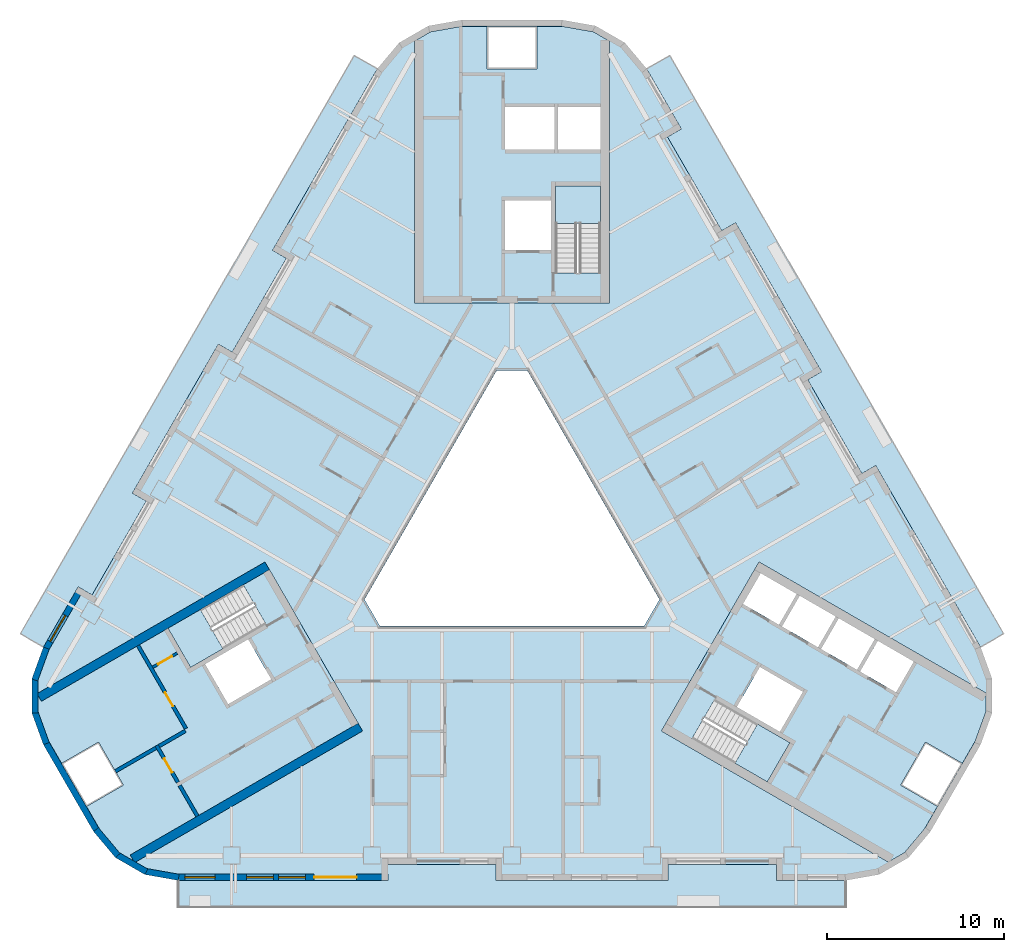
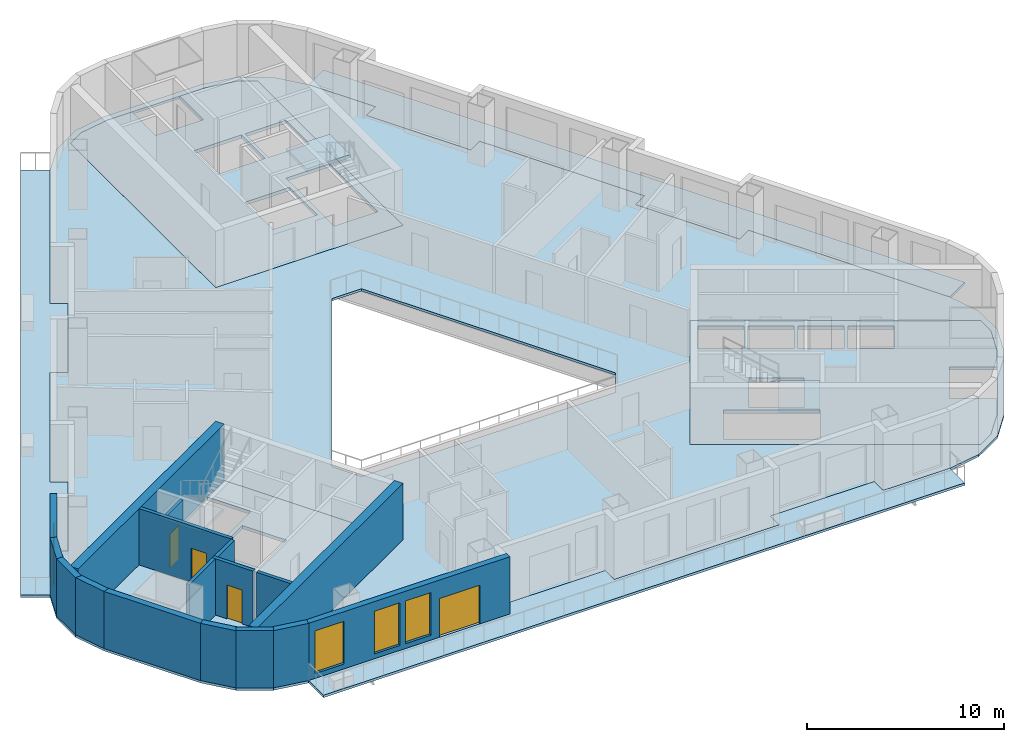
# One storey, part 2 of 13: 17 walls, 10 slabs, 4 doors, 4 windows, 8 openings, 3 elements without a shape of their own.
"""IFC4 building model written with IfcOpenShell, lengths in metres."""

import ifcopenshell
import ifcopenshell.guid

model = None  # the IFC model being written
_history = None  # IfcOwnerHistory: only IFC2X3 demands one
_inside = {}  # id of a spatial element -> (the spatial element, [elements in it])
_under = {}  # id of a project, library or spatial element -> (it, [spatial elements below it])
_declared = {}  # id of a project -> (the project, [libraries it declares])
_typed = {}  # id of a type object -> (the type object, [elements of that type])
_made_of = {}  # id of a material, layer set ... -> (it, [elements and type objects made of it])


def new_model(schema):
    """Start an empty IFC model of exactly this schema.

    Asked for "IFC4X3", IfcOpenShell would pick the latest addendum, in which some entities
    have other attributes; the version numbers below select the first issue.
    IFC2X3 requires an IfcOwnerHistory on every rooted entity: one is made here for all.
    """
    global model, _history
    if schema == "IFC4X3":
        model = ifcopenshell.file(schema_version=(4, 3, 0, 0))
    else:
        model = ifcopenshell.file(schema=schema)
    _inside.clear()
    _under.clear()
    _declared.clear()
    _typed.clear()
    _made_of.clear()
    _history = None
    if model.schema == "IFC2X3":
        org = make("IfcOrganization", Name="unknown")
        user = make(
            "IfcPersonAndOrganization",
            ThePerson=make("IfcPerson", FamilyName="unknown"),
            TheOrganization=org,
        )
        app = make(
            "IfcApplication",
            ApplicationDeveloper=org,
            Version="unknown",
            ApplicationFullName="unknown",
            ApplicationIdentifier="unknown",
        )
        _history = make(
            "IfcOwnerHistory",
            OwningUser=user,
            OwningApplication=app,
            ChangeAction="ADDED",
            CreationDate=0,
        )
    return model


def make(cls, **values):
    """One entity of the class cls with the attributes given. An attribute that is None is left unset."""
    return model.create_entity(
        cls, **{name: value for name, value in values.items() if value is not None}
    )


def rooted(cls, **values):
    """An entity with a GlobalId (a new one), such as an element, a storey or a relation."""
    return make(cls, GlobalId=ifcopenshell.guid.new(), OwnerHistory=_history, **values)


def si_unit(unit_type, name, prefix=None):
    """IfcSIUnit, for example si_unit("LENGTHUNIT", "METRE", prefix="MILLI")."""
    return make("IfcSIUnit", UnitType=unit_type, Prefix=prefix, Name=name)


def assignment(units):
    """IfcUnitAssignment: the units of a project."""
    return None if units is None else make("IfcUnitAssignment", Units=units)


def point(xyz):
    """IfcCartesianPoint."""
    return None if xyz is None else make("IfcCartesianPoint", Coordinates=xyz)


def direction(xyz):
    """IfcDirection."""
    return None if xyz is None else make("IfcDirection", DirectionRatios=xyz)


def frame(location, z_axis=None, x_axis=None):
    """IfcAxis2Placement3D, a coordinate frame: its origin and axes. An axis left out is left unset."""
    return make(
        "IfcAxis2Placement3D",
        Location=point(location),
        Axis=direction(z_axis),
        RefDirection=direction(x_axis),
    )


def frame_2d(location, x_axis=None):
    """IfcAxis2Placement2D, a coordinate frame in the plane: its origin and x axis."""
    return make(
        "IfcAxis2Placement2D", Location=point(location), RefDirection=direction(x_axis)
    )


def origin():
    """The frame at (0, 0, 0) with its axes left unset."""
    return frame((0.0, 0.0, 0.0))


def place(relative_to, where):
    """IfcLocalPlacement: puts the frame where relative to a parent placement (None: the world)."""
    return make(
        "IfcLocalPlacement", PlacementRelTo=relative_to, RelativePlacement=where
    )


def context(
    kind, dimensions, precision=None, world=None, true_north=None, identifier=None
):
    """IfcGeometricRepresentationContext, for example the 3D "Model" context."""
    return make(
        "IfcGeometricRepresentationContext",
        ContextIdentifier=identifier,
        ContextType=kind,
        CoordinateSpaceDimension=dimensions,
        Precision=precision,
        WorldCoordinateSystem=world,
        TrueNorth=true_north,
    )


def subcontext(parent, identifier, kind, view, scale=None):
    """IfcGeometricRepresentationSubContext, for example "Body" below "Model"."""
    return make(
        "IfcGeometricRepresentationSubContext",
        ContextIdentifier=identifier,
        ContextType=kind,
        ParentContext=parent,
        TargetScale=scale,
        TargetView=view,
    )


def project(units=None, contexts=None):
    """IfcProject with its units and contexts."""
    return rooted(
        "IfcProject",
        Name="project",
        RepresentationContexts=contexts,
        UnitsInContext=assignment(units),
    )


def spatial(cls, under=None, at=None, **own):
    """A site, building, storey or space (cls), placed at a placement, below another one or the project."""
    s = rooted(cls, ObjectPlacement=at, **own)
    if under is not None:
        _under.setdefault(under.id(), (under, []))[1].append(s)
    return s


def polyline(points):
    """IfcPolyline through the points."""
    return make("IfcPolyline", Points=[point(p) for p in points])


def profile(cls, at=None, kind="AREA", **sizes):
    """A parametric profile (cls). Its sizes go by their IFC names, for example OverallWidth=200.0."""
    return make(cls, ProfileType=kind, Position=at, **sizes)


def rectangle(**sizes):
    """IfcRectangleProfileDef."""
    return profile("IfcRectangleProfileDef", **sizes)


def outline(outer, holes=None, kind="AREA"):
    """IfcArbitraryClosedProfileDef: a profile drawn as a closed curve; with holes, ...WithVoids."""
    if holes is None:
        return make("IfcArbitraryClosedProfileDef", ProfileType=kind, OuterCurve=outer)
    return make(
        "IfcArbitraryProfileDefWithVoids",
        ProfileType=kind,
        OuterCurve=outer,
        InnerCurves=holes,
    )


def extrude(swept, where, along, depth):
    """IfcExtrudedAreaSolid: the profile swept, set in the frame where, extruded along a direction by depth."""
    return make(
        "IfcExtrudedAreaSolid",
        SweptArea=swept,
        Position=where,
        ExtrudedDirection=direction(along),
        Depth=depth,
    )


def shape(context_of_items, identifier, shape_type, items):
    """IfcShapeRepresentation: the items that make up one representation, for example the "Body"."""
    return make(
        "IfcShapeRepresentation",
        ContextOfItems=context_of_items,
        RepresentationIdentifier=identifier,
        RepresentationType=shape_type,
        Items=items,
    )


def material(Name=None, Category=None):
    """IfcMaterial."""
    return make("IfcMaterial", Name=Name, Category=Category)


def layer(
    of_material, thickness, ventilated=None, Name=None, Category=None, Priority=None
):
    """IfcMaterialLayer: one layer of a wall or slab, of a material (None: an air gap)."""
    return make(
        "IfcMaterialLayer",
        Material=of_material,
        LayerThickness=thickness,
        IsVentilated=ventilated,
        Name=Name,
        Category=Category,
        Priority=Priority,
    )


def layer_set(layers, Name=None):
    """IfcMaterialLayerSet."""
    return make("IfcMaterialLayerSet", MaterialLayers=layers, LayerSetName=Name)


def made_of(thing, what):
    """Note that an element or type object is made of a material, layer set ...; save() writes the relation."""
    if what is not None:
        _made_of.setdefault(what.id(), (what, []))[1].append(thing)
    return thing


def type_object(cls, material=None, **own):
    """A type object (cls), such as IfcWallType, which elements share."""
    return made_of(rooted(cls, **own), material)


def element(
    cls,
    number,
    at=None,
    inside=None,
    cuts=None,
    type_object=None,
    material=None,
    context=None,
    identifier="Body",
    shape_type=None,
    held_by="IfcProductDefinitionShape",
    body=None,
    shapes=None,
    **own,
):
    """One element of the class cls, such as IfcWall. Its Tag is "e" and its number.

    at: its placement. inside: the storey or other place that contains it. cuts: it is an
    opening in that element (IfcRelVoidsElement). A single representation is given by context,
    identifier, shape_type and body (its items); several are given by shapes. held_by: the class
    of the entity that holds the representations. save() writes the other relations.
    """
    e = rooted(cls, Tag="e%d" % number, ObjectPlacement=at, **own)
    if body is not None:
        shapes = [shape(context, identifier, shape_type, body)]
    if shapes is not None:
        e.Representation = make(held_by, Representations=shapes)
    if inside is not None:
        _inside.setdefault(inside.id(), (inside, []))[1].append(e)
    if cuts is not None:
        rooted(
            "IfcRelVoidsElement", RelatingBuildingElement=cuts, RelatedOpeningElement=e
        )
    if type_object is not None:
        _typed.setdefault(type_object.id(), (type_object, []))[1].append(e)
    return made_of(e, material)


def fill(opening, filler):
    """IfcRelFillsElement: the door or window that sits in an opening."""
    return rooted(
        "IfcRelFillsElement",
        RelatingOpeningElement=opening,
        RelatedBuildingElement=filler,
    )


def aggregate(whole, parts):
    """IfcRelAggregates: a whole, such as a stair, and the parts it consists of."""
    return rooted("IfcRelAggregates", RelatingObject=whole, RelatedObjects=parts)


def save(model, path):
    """Write the relations noted so far, then the file.

    IfcRelAggregates (storeys below a building ...), IfcRelContainedInSpatialStructure (elements
    in a storey), IfcRelDefinesByType, IfcRelAssociatesMaterial and IfcRelDeclares: one each for
    every whole, place, type object, material and project.
    """
    for whole, parts in _under.values():
        aggregate(whole, parts)
    for where, things in _inside.values():
        rooted(
            "IfcRelContainedInSpatialStructure",
            RelatedElements=things,
            RelatingStructure=where,
        )
    for kind, things in _typed.values():
        rooted("IfcRelDefinesByType", RelatedObjects=things, RelatingType=kind)
    for what, things in _made_of.values():
        rooted("IfcRelAssociatesMaterial", RelatedObjects=things, RelatingMaterial=what)
    for by, libraries in _declared.values():
        rooted("IfcRelDeclares", RelatingContext=by, RelatedDefinitions=libraries)
    model.write(path)


model = new_model("IFC4")

# Units and contexts
model_context = context("Model", 3, precision=1e-05, world=origin(), true_north=direction((0.0, 1.0)))
body_context = subcontext(model_context, "Body", "Model", "MODEL_VIEW")
ifc_project = project(units=[si_unit("LENGTHUNIT", "METRE"), si_unit("AREAUNIT", "SQUARE_METRE"), si_unit("VOLUMEUNIT", "CUBIC_METRE"), si_unit("PLANEANGLEUNIT", "RADIAN"), si_unit("MASSUNIT", "GRAM", prefix="KILO")], contexts=[model_context])

# Site, building, storey
site_placement = place(None, origin())
site = spatial("IfcSite", under=ifc_project, at=site_placement, CompositionType="ELEMENT")
building_placement = place(site_placement, origin())
building = spatial("IfcBuilding", under=site, at=building_placement, Name="Apuvela Tower Hotel", CompositionType="ELEMENT")
storey_placement = place(building_placement, frame((0.0, 0.0, 57.60009765625)))
storey = spatial("IfcBuildingStorey", under=building, at=storey_placement, Name="L11", CompositionType="ELEMENT", Elevation=57.60009765625)

# Slabs
ifc_material_1 = material(Name="Concrete C50/60", Category="concrete")
ifc_layer_1 = layer(ifc_material_1, 0.199951171875)
ifc_layer_set_1 = layer_set([ifc_layer_1], Name="COR-FLOOR-200")
slab_type_1 = type_object("IfcSlabType", Name="COR-FLOOR-200", PredefinedType="FLOOR", material=ifc_layer_set_1)
slab_1_placement = place(storey_placement, frame((0.0, 0.0, -0.2001953125)))
element("IfcSlab", 1, at=slab_1_placement, inside=storey, type_object=slab_type_1, Name="Core floor N", PredefinedType="FLOOR", context=body_context, shape_type="SweptSolid", body=[
    extrude(outline(polyline([(5.5, 27.668212890625), (4.588623046875, 28.1943359375), (2.85498046875, 28.5), (1.39990234375, 28.5), (1.39990234375, 26.10009765625), (-1.39990234375, 26.10009765625), (-1.39990234375, 28.5), (-2.85498046875, 28.5), (-4.588623046875, 28.1943359375), (-5.5, 27.668212890625), (-5.5, 12.89990234375), (5.5, 12.89990234375), (5.5, 27.668212890625)]), holes=[polyline([(5.0, 14.60595703125), (2.449951171875, 14.60595703125), (2.449951171875, 19.5), (5.0, 19.5), (5.0, 14.60595703125)]), polyline([(2.199951171875, 15.89990234375), (-0.39990234375, 15.89990234375), (-0.39990234375, 18.699951171875), (2.199951171875, 18.699951171875), (2.199951171875, 15.89990234375)]), polyline([(5.0, 21.550048828125), (2.60009765625, 21.550048828125), (2.60009765625, 23.949951171875), (5.0, 23.949951171875), (5.0, 21.550048828125)]), polyline([(2.39990234375, 21.550048828125), (-0.39990234375, 21.550048828125), (-0.39990234375, 23.949951171875), (2.39990234375, 23.949951171875), (2.39990234375, 21.550048828125)])]), origin(), (0.0, 0.0, 1.0), 0.2001953125),
])
slab_2_placement = place(storey_placement, frame((0.0, 0.0, -0.2001953125)))
element("IfcSlab", 2, at=slab_2_placement, inside=storey, type_object=slab_type_1, Name="Core floor SW", PredefinedType="FLOOR", context=body_context, shape_type="SweptSolid", body=[
    extrude(outline(polyline([(-26.711181640625, -9.07080078125), (-26.711181640625, -10.123291015625), (-26.109375, -11.77734375), (-25.381591796875, -13.03759765625), (-23.30322265625, -11.837646484375), (-21.9033203125, -14.262451171875), (-23.981689453125, -15.46240234375), (-23.254150390625, -16.72265625), (-22.122802734375, -18.071044921875), (-21.211181640625, -18.59716796875), (-8.421630859375, -11.213134765625), (-13.921630859375, -1.68701171875), (-26.711181640625, -9.07080078125)]), holes=[polyline([(-13.874267578125, -5.18115234375), (-18.112548828125, -7.628173828125), (-19.387451171875, -5.419921875), (-15.149169921875, -2.972900390625), (-13.874267578125, -5.18115234375)]), polyline([(-13.56982421875, -8.29638671875), (-15.99462890625, -9.6962890625), (-17.294677734375, -7.444580078125), (-14.869873046875, -6.044677734375), (-13.56982421875, -8.29638671875)])]), origin(), (0.0, 0.0, 1.0), 0.2001953125),
])
slab_3_placement = place(storey_placement, frame((0.0, 0.0, -0.2001953125)))
element("IfcSlab", 3, at=slab_3_placement, inside=storey, type_object=slab_type_1, Name="Core floor SE", PredefinedType="FLOOR", context=body_context, shape_type="SweptSolid", body=[
    extrude(outline(polyline([(21.211181640625, -18.59716796875), (22.122802734375, -18.071044921875), (23.254150390625, -16.72265625), (23.981689453125, -15.46240234375), (21.9033203125, -14.262451171875), (23.30322265625, -11.837646484375), (25.381591796875, -13.03759765625), (26.109375, -11.77734375), (26.711181640625, -10.123291015625), (26.711181640625, -9.07080078125), (13.921630859375, -1.68701171875), (8.421630859375, -11.213134765625), (21.211181640625, -18.59716796875)]), holes=[polyline([(13.01806640625, -4.052001953125), (14.01806640625, -2.31982421875), (16.044677734375, -3.489990234375), (15.044677734375, -5.221923828125), (13.01806640625, -4.052001953125)]), polyline([(17.244384765625, -6.491943359375), (15.2177734375, -5.322021484375), (16.2177734375, -3.58984375), (18.244384765625, -4.760009765625), (17.244384765625, -6.491943359375)]), polyline([(14.387451171875, -14.080078125), (10.149169921875, -11.633056640625), (11.42431640625, -9.4248046875), (15.66259765625, -11.871826171875), (14.387451171875, -14.080078125)]), polyline([(12.669921875, -9.855224609375), (13.9697265625, -7.603515625), (16.394775390625, -9.003662109375), (15.0947265625, -11.25537109375), (12.669921875, -9.855224609375)]), polyline([(19.444091796875, -7.761962890625), (17.41748046875, -6.591796875), (18.41748046875, -4.85986328125), (20.444091796875, -6.02978515625), (19.444091796875, -7.761962890625)]), polyline([(21.643798828125, -9.031982421875), (19.6171875, -7.86181640625), (20.6171875, -6.1298828125), (22.643798828125, -7.2998046875), (21.643798828125, -9.031982421875)])]), origin(), (0.0, 0.0, 1.0), 0.2001953125),
])

# Stair, slab
stair_type = type_object("IfcStairType", Name="COR-STAIR-22R", PredefinedType="HALF_TURN_STAIR", material=ifc_material_1)
stair_1_placement = place(storey_placement, origin())
stair_1 = element("IfcStair", 4, at=stair_1_placement, inside=storey, type_object=stair_type, Name="L11 Exit stair ST1", PredefinedType="HALF_TURN_STAIR")
ifc_layer_2 = layer(ifc_material_1, 0.199951171875)
ifc_layer_set_2 = layer_set([ifc_layer_2], Name="COR-LANDING-200")
slab_type_2 = type_object("IfcSlabType", Name="COR-LANDING-200", PredefinedType="LANDING", material=ifc_layer_set_2)
slab_4_placement = place(storey_placement, frame((0.0, 0.0, 1.64990234375)))
slab_4 = element("IfcSlab", 5, at=slab_4_placement, type_object=slab_type_2, Name="ST1 landing 1", PredefinedType="LANDING", context=body_context, shape_type="SweptSolid", body=[
    extrude(outline(polyline([(5.0, 17.39404296875), (5.0, 19.5), (2.449951171875, 19.5), (2.449951171875, 17.39404296875), (5.0, 17.39404296875)])), origin(), (0.0, 0.0, 1.0), 0.199951171875),
])
aggregate(stair_1, [slab_4])

stair_2_placement = place(storey_placement, origin())
stair_2 = element("IfcStair", 6, at=stair_2_placement, inside=storey, type_object=stair_type, Name="L11 Exit stair ST2", PredefinedType="HALF_TURN_STAIR")
slab_5_placement = place(storey_placement, frame((0.0, 0.0, 1.64990234375)))
slab_5 = element("IfcSlab", 7, at=slab_5_placement, type_object=slab_type_2, Name="ST2 landing 1", PredefinedType="LANDING", context=body_context, shape_type="SweptSolid", body=[
    extrude(outline(polyline([(-17.563720703125, -4.366943359375), (-19.387451171875, -5.419921875), (-18.112548828125, -7.628173828125), (-16.28857421875, -6.5751953125), (-17.563720703125, -4.366943359375)])), origin(), (0.0, 0.0, 1.0), 0.199951171875),
])
aggregate(stair_2, [slab_5])

stair_3_placement = place(storey_placement, origin())
stair_3 = element("IfcStair", 8, at=stair_3_placement, inside=storey, type_object=stair_type, Name="L11 Exit stair ST3", PredefinedType="HALF_TURN_STAIR")
slab_6_placement = place(storey_placement, frame((0.0, 0.0, 1.64990234375)))
slab_6 = element("IfcSlab", 9, at=slab_6_placement, type_object=slab_type_2, Name="ST3 landing 1", PredefinedType="LANDING", context=body_context, shape_type="SweptSolid", body=[
    extrude(outline(polyline([(12.563720703125, -13.027099609375), (14.387451171875, -14.080078125), (15.66259765625, -11.871826171875), (13.838623046875, -10.81884765625), (12.563720703125, -13.027099609375)])), origin(), (0.0, 0.0, 1.0), 0.199951171875),
])
aggregate(stair_3, [slab_6])

# Slabs
ifc_material_2 = material(Name="Concrete C40/50, fair-faced", Category="concrete")
ifc_layer_3 = layer(ifc_material_2, 0.14990234375)
ifc_layer_set_3 = layer_set([ifc_layer_3], Name="ENV-BALCONY-150")
slab_type_3 = type_object("IfcSlabType", Name="ENV-BALCONY-150", PredefinedType="FLOOR", material=ifc_layer_set_3)
slab_7_placement = place(storey_placement, frame((0.0, 0.0, -0.150146484375)))
element("IfcSlab", 10, at=slab_7_placement, inside=storey, type_object=slab_type_3, Name="Balcony slab S L11", PredefinedType="FLOOR", context=body_context, shape_type="SweptSolid", body=[
    extrude(outline(polyline([(18.82080078125, -21.135009765625), (-18.82080078125, -21.135009765625), (-18.82080078125, -19.625), (-7.0048828125, -19.625), (-7.0048828125, -18.72509765625), (-0.89501953125, -18.72509765625), (-0.89501953125, -19.625), (8.794921875, -19.625), (8.794921875, -18.72509765625), (14.905029296875, -18.72509765625), (14.905029296875, -19.625), (18.82080078125, -19.625), (18.82080078125, -21.135009765625)])), origin(), (0.0, 0.0, 1.0), 0.150146484375),
])
slab_8_placement = place(storey_placement, frame((0.0, 0.0, -0.150146484375)))
element("IfcSlab", 11, at=slab_8_placement, inside=storey, type_object=slab_type_3, Name="Balcony slab NE L11", PredefinedType="FLOOR", context=body_context, shape_type="SweptSolid", body=[
    extrude(outline(polyline([(17.443359375, 9.037353515625), (12.598388671875, 17.42919921875), (11.81884765625, 16.979248046875), (8.763916015625, 22.2705078125), (9.543212890625, 22.720703125), (7.585205078125, 26.11181640625), (8.89306640625, 26.86669921875), (27.7138671875, -5.731689453125), (26.40625, -6.48681640625), (20.498291015625, 3.74609375), (19.71875, 3.2958984375), (16.663818359375, 8.58740234375), (17.443359375, 9.037353515625)])), origin(), (0.0, 0.0, 1.0), 0.150146484375),
])
slab_9_placement = place(storey_placement, frame((0.0, 0.0, -0.150146484375)))
element("IfcSlab", 12, at=slab_9_placement, inside=storey, type_object=slab_type_3, Name="Balcony slab NW L11", PredefinedType="FLOOR", context=body_context, shape_type="SweptSolid", body=[
    extrude(outline(polyline([(-27.7138671875, -5.731689453125), (-8.89306640625, 26.86669921875), (-7.585205078125, 26.11181640625), (-13.4931640625, 15.87890625), (-12.7138671875, 15.428955078125), (-15.768798828125, 10.1376953125), (-16.548095703125, 10.587646484375), (-21.393310546875, 2.19580078125), (-20.61376953125, 1.745849609375), (-23.668701171875, -3.545654296875), (-24.4482421875, -3.095703125), (-26.40625, -6.48681640625), (-27.7138671875, -5.731689453125)])), origin(), (0.0, 0.0, 1.0), 0.150146484375),
])
ifc_material_3 = material(Name="Concrete C35/45", Category="concrete")
ifc_layer_4 = layer(ifc_material_3, 0.14990234375)
ifc_layer_set_4 = layer_set([ifc_layer_4], Name="STR-SLAB 150 floor Concrete C35/45")
slab_type_4 = type_object("IfcSlabType", Name="STR-SLAB 150 floor Concrete C35/45", PredefinedType="FLOOR", material=ifc_layer_set_4)
slab_10_placement = place(storey_placement, frame((0.0, 0.0, -0.150146484375)))
element("IfcSlab", 13, at=slab_10_placement, inside=storey, type_object=slab_type_4, Name="Floor slab S4 L11", PredefinedType="FLOOR", context=body_context, shape_type="SweptSolid", body=[
    extrude(outline(polyline([(-6.3642578125, 27.5732421875), (-4.710205078125, 28.5283203125), (-2.8291015625, 28.860107421875), (2.8291015625, 28.860107421875), (4.710205078125, 28.5283203125), (6.3642578125, 27.5732421875), (7.59228515625, 26.110107421875), (9.550048828125, 22.71875), (8.770751953125, 22.268798828125), (11.82080078125, 16.986083984375), (12.60009765625, 17.43603515625), (17.4501953125, 9.035400390625), (16.670654296875, 8.58544921875), (19.720703125, 3.302734375), (20.5, 3.752685546875), (26.407958984375, -6.47998046875), (27.061279296875, -8.27490234375), (27.061279296875, -10.18505859375), (26.407958984375, -11.97998046875), (23.5791015625, -16.8798828125), (22.351318359375, -18.34326171875), (20.697021484375, -19.29833984375), (18.81591796875, -19.6298828125), (14.89990234375, -19.6298828125), (14.89990234375, -18.72998046875), (8.800048828125, -18.72998046875), (8.800048828125, -19.6298828125), (-0.89990234375, -19.6298828125), (-0.89990234375, -18.72998046875), (-7.0, -18.72998046875), (-7.0, -19.6298828125), (-18.81591796875, -19.6298828125), (-20.697021484375, -19.29833984375), (-22.351318359375, -18.34326171875), (-23.5791015625, -16.8798828125), (-26.407958984375, -11.97998046875), (-27.061279296875, -10.18505859375), (-27.061279296875, -8.27490234375), (-26.407958984375, -6.47998046875), (-24.4501953125, -3.088623046875), (-23.670654296875, -3.538818359375), (-20.62060546875, 1.743896484375), (-21.400146484375, 2.194091796875), (-16.550048828125, 10.594482421875), (-15.7705078125, 10.14453125), (-12.720703125, 15.42724609375), (-13.5, 15.877197265625), (-7.59228515625, 26.110107421875), (-6.3642578125, 27.5732421875)]), holes=[polyline([(0.865966796875, 9.10009765625), (-0.865966796875, 9.10009765625), (-8.313720703125, -3.800048828125), (-7.44775390625, -5.300048828125), (7.44775390625, -5.300048828125), (8.313720703125, -3.800048828125), (0.865966796875, 9.10009765625)]), polyline([(-5.5, 12.89990234375), (-5.5, 27.668212890625), (-4.588623046875, 28.1943359375), (-2.85498046875, 28.5), (2.85498046875, 28.5), (4.588623046875, 28.1943359375), (5.5, 27.668212890625), (5.5, 12.89990234375), (-5.5, 12.89990234375)]), polyline([(-8.421630859375, -11.213134765625), (-21.211181640625, -18.59716796875), (-22.122802734375, -18.071044921875), (-23.254150390625, -16.72265625), (-26.109375, -11.77734375), (-26.711181640625, -10.123291015625), (-26.711181640625, -9.07080078125), (-13.921630859375, -1.68701171875), (-8.421630859375, -11.213134765625)]), polyline([(13.921630859375, -1.68701171875), (26.711181640625, -9.07080078125), (26.711181640625, -10.123291015625), (26.109375, -11.77734375), (23.254150390625, -16.72265625), (22.122802734375, -18.071044921875), (21.211181640625, -18.59716796875), (8.421630859375, -11.213134765625), (13.921630859375, -1.68701171875)])]), origin(), (0.0, 0.0, 1.0), 0.150146484375),
])

# Walls
ifc_layer_5 = layer(ifc_material_1, 0.5)
ifc_layer_set_5 = layer_set([ifc_layer_5], Name="COR-WALL-CORE-500")
wall_type_1 = type_object("IfcWallType", Name="COR-WALL-CORE-500", PredefinedType="SHEAR", material=ifc_layer_set_5)
for number, where, z_axis, x_axis, name in (
    (14, (-13.796630859375, -1.9033203125, 0.0), (0.0, 0.0, 1.0), (-0.866025009528, -0.500000682871, 0.0), "Core wall SW"),
    (15, (-8.546630859375, -10.99658203125, 0.0), (0.0, 0.0, 1.0), (-0.866025009528, -0.500000682871, 0.0), "Core wall SW"),
):
    element("IfcWall", number, at=place(storey_placement, frame(where, z_axis=z_axis, x_axis=x_axis)), inside=storey, type_object=wall_type_1, Name=name, PredefinedType="SHEAR", context=body_context, shape_type="SweptSolid", body=[
        extrude(rectangle(XDim=14.8369140625, YDim=0.5, at=frame_2d((7.41845703125, 0.0))), origin(), (0.0, 0.0, 1.0), 3.5),
    ])

# Wall, opening, door
ifc_material_4 = material(Name="Blockwork 150 mm plastered", Category="masonry")
ifc_layer_6 = layer(ifc_material_4, 0.14990234375)
ifc_layer_set_6 = layer_set([ifc_layer_6], Name="COR-WALL-PART-150")
wall_type_2 = type_object("IfcWallType", Name="COR-WALL-PART-150", PredefinedType="PARTITIONING", material=ifc_layer_set_6)
wall_1_placement = place(storey_placement, frame((-18.866455078125, -6.822265625, 0.0), z_axis=(0.0, 0.0, 1.0), x_axis=(-0.866028054938, -0.499995408039, 0.0)))
wall_1 = element("IfcWall", 16, at=wall_1_placement, inside=storey, type_object=wall_type_2, Name="Partition SW", PredefinedType="PARTITIONING", context=body_context, shape_type="SweptSolid", body=[
    extrude(rectangle(XDim=1.60009765625, YDim=0.14990234375, at=frame_2d((0.800048828125, 0.0))), origin(), (0.0, 0.0, 1.0), 3.5),
])
opening_1_placement = place(wall_1_placement, frame((0.35009765625, 0.0, 0.0)))
opening_1 = element("IfcOpeningElement", 17, at=opening_1_placement, cuts=wall_1, Name="Opening W-RD", PredefinedType="OPENING", context=body_context, shape_type="SweptSolid", body=[
    extrude(rectangle(XDim=0.89990234375, YDim=2.10009765625, at=frame_2d((0.449951171875, 1.050048828125))), frame((0.0, 0.0849609375, 0.0), z_axis=(0.0, -1.0, 0.0), x_axis=(1.0, 0.0, 0.0)), (0.0, 0.0, 1.0), 0.169921875),
])
ifc_material_5 = material(Name="Steel access door, powder coated", Category="steel")
door_type_1 = type_object("IfcDoorType", Name="COR-RD-900", OperationType="NOTDEFINED", PredefinedType="DOOR", material=ifc_material_5)
door_1_placement = place(opening_1_placement, frame((0.89990234375, 0.0, 0.0), z_axis=(0.0, 0.0, 1.0), x_axis=(-1.0, 0.0, 0.0)))
door_1 = element("IfcDoor", 18, at=door_1_placement, inside=storey, type_object=door_type_1, Name="Riser door W-RD", OperationType="SINGLE_SWING_RIGHT", OverallHeight=2.10009765625, OverallWidth=0.89990234375, PredefinedType="DOOR", context=body_context, shape_type="SweptSolid", body=[
    extrude(rectangle(XDim=0.89990234375, YDim=2.10009765625, at=frame_2d((0.449951171875, 1.050048828125))), frame((0.0, 0.02490234375, 0.0), z_axis=(0.0, -1.0, 0.0), x_axis=(1.0, 0.0, 0.0)), (0.0, 0.0, 1.0), 0.050048828125),
])
fill(opening_1, door_1)

ifc_material_6 = material(Name="Blockwork 200 mm plastered", Category="masonry")
ifc_layer_7 = layer(ifc_material_6, 0.199951171875)
ifc_layer_set_7 = layer_set([ifc_layer_7], Name="COR-WALL-PART-200")
wall_type_3 = type_object("IfcWallType", Name="COR-WALL-PART-200", PredefinedType="PARTITIONING", material=ifc_layer_set_7)
wall_2_placement = place(storey_placement, frame((-21.076171875, -6.39501953125, 0.0), z_axis=(0.0, 0.0, 1.0), x_axis=(0.50001468107, -0.866016927499, 0.0)))
wall_2 = element("IfcWall", 19, at=wall_2_placement, inside=storey, type_object=wall_type_3, Name="Partition SW", PredefinedType="PARTITIONING", context=body_context, shape_type="SweptSolid", body=[
    extrude(rectangle(XDim=5.399658203125, YDim=0.199951171875, at=frame_2d((2.69970703125, 0.0))), origin(), (0.0, 0.0, 1.0), 3.5),
])
opening_2_placement = place(wall_2_placement, frame((3.050048828125, 0.0, 0.0)))
opening_2 = element("IfcOpeningElement", 20, at=opening_2_placement, cuts=wall_2, Name="Opening W-RS1", PredefinedType="OPENING", context=body_context, shape_type="SweptSolid", body=[
    extrude(rectangle(XDim=0.89990234375, YDim=2.10009765625, at=frame_2d((0.449951171875, 1.050048828125))), frame((0.0, 0.10986328125, 0.0), z_axis=(0.0, -1.0, 0.0), x_axis=(1.0, 0.0, 0.0)), (0.0, 0.0, 1.0), 0.219970703125),
])
ifc_material_7 = material(Name="Steel fire door, powder coated", Category="steel")
door_type_2 = type_object("IfcDoorType", Name="COR-DR-900", OperationType="NOTDEFINED", PredefinedType="DOOR", material=ifc_material_7)
door_2_placement = place(opening_2_placement, frame((0.89990234375, 0.0, 0.0), z_axis=(0.0, 0.0, 1.0), x_axis=(-1.0, 0.0, 0.0)))
door_2 = element("IfcDoor", 21, at=door_2_placement, inside=storey, type_object=door_type_2, Name="Store door W-RS1", OperationType="SINGLE_SWING_LEFT", OverallHeight=2.10009765625, OverallWidth=0.89990234375, PredefinedType="DOOR", context=body_context, shape_type="SweptSolid", body=[
    extrude(rectangle(XDim=0.89990234375, YDim=2.10009765625, at=frame_2d((0.449951171875, 1.050048828125))), frame((0.0, 0.02490234375, 0.0), z_axis=(0.0, -1.0, 0.0), x_axis=(1.0, 0.0, 0.0)), (0.0, 0.0, 1.0), 0.050048828125),
])
fill(opening_2, door_2)

ifc_layer_8 = layer(ifc_material_1, 0.199951171875)
ifc_layer_set_8 = layer_set([ifc_layer_8], Name="COR-WALL-SHAFT-200")
wall_type_4 = type_object("IfcWallType", Name="COR-WALL-SHAFT-200", PredefinedType="SHEAR", material=ifc_layer_set_8)
wall_3_placement = place(storey_placement, frame((-20.030517578125, -12.0263671875, 0.0), z_axis=(0.0, 0.0, 1.0), x_axis=(0.500033551112, -0.866006032174, 0.0)))
wall_3 = element("IfcWall", 22, at=wall_3_placement, inside=storey, type_object=wall_type_4, Name="Shaft wall SW", PredefinedType="SHEAR", context=body_context, shape_type="SweptSolid", body=[
    extrude(rectangle(XDim=2.400146484375, YDim=0.199951171875, at=frame_2d((1.2001953125, 0.0))), origin(), (0.0, 0.0, 1.0), 3.5),
])
opening_3_placement = place(wall_3_placement, frame((0.85009765625, 0.0, 0.0)))
opening_3 = element("IfcOpeningElement", 23, at=opening_3_placement, cuts=wall_3, Name="Opening W-REP", PredefinedType="OPENING", context=body_context, shape_type="SweptSolid", body=[
    extrude(rectangle(XDim=0.89990234375, YDim=2.10009765625, at=frame_2d((0.449951171875, 1.050048828125))), frame((0.0, 0.10986328125, 0.0), z_axis=(0.0, -1.0, 0.0), x_axis=(1.0, 0.0, 0.0)), (0.0, 0.0, 1.0), 0.219970703125),
])
door_3_placement = place(opening_3_placement, frame((0.89990234375, 0.0, 0.0), z_axis=(0.0, 0.0, 1.0), x_axis=(-1.0, 0.0, 0.0)))
door_3 = element("IfcDoor", 24, at=door_3_placement, inside=storey, type_object=door_type_2, Name="Store door W-REP", OperationType="SINGLE_SWING_LEFT", OverallHeight=2.10009765625, OverallWidth=0.89990234375, PredefinedType="DOOR", context=body_context, shape_type="SweptSolid", body=[
    extrude(rectangle(XDim=0.89990234375, YDim=2.10009765625, at=frame_2d((0.449951171875, 1.050048828125))), frame((0.0, 0.02490234375, 0.0), z_axis=(0.0, -1.0, 0.0), x_axis=(1.0, 0.0, 0.0)), (0.0, 0.0, 1.0), 0.050048828125),
])
fill(opening_3, door_3)

# Walls
wall_4_placement = place(storey_placement, frame((-18.412841796875, -11.2080078125, 0.0), z_axis=(0.0, 0.0, 1.0), x_axis=(-0.866038183914, -0.499977863513, 0.0)))
element("IfcWall", 25, at=wall_4_placement, inside=storey, type_object=wall_type_4, Name="Shaft wall SW", PredefinedType="SHEAR", context=body_context, shape_type="SweptSolid", body=[
    extrude(rectangle(XDim=1.7099609375, YDim=0.199951171875, at=frame_2d((0.85498046875, 0.0))), origin(), (0.0, 0.0, 1.0), 3.5),
])
wall_5_placement = place(storey_placement, frame((-18.73046875, -14.278076171875, 0.0), z_axis=(0.0, 0.0, 1.0), x_axis=(0.50002537861, -0.866010750942, 0.0)))
element("IfcWall", 26, at=wall_5_placement, inside=storey, type_object=wall_type_4, Name="Shaft wall SW", PredefinedType="SHEAR", context=body_context, shape_type="SweptSolid", body=[
    extrude(rectangle(XDim=2.0, YDim=0.199951171875, at=frame_2d((1.0, 0.0))), origin(), (0.0, 0.0, 1.0), 3.5),
])
wall_6_placement = place(storey_placement, frame((-20.06689453125, -12.1630859375, 0.0), z_axis=(0.0, 0.0, 1.0), x_axis=(-0.866060851709, -0.499938597367, 0.0)))
element("IfcWall", 27, at=wall_6_placement, inside=storey, type_object=wall_type_4, Name="Shaft wall SW", PredefinedType="SHEAR", context=body_context, shape_type="SweptSolid", body=[
    extrude(rectangle(XDim=2.639892578125, YDim=0.199951171875, at=frame_2d((1.31982421875, 0.0))), origin(), (0.0, 0.0, 1.0), 3.5),
])

# Wall, opening, window
ifc_material_8 = material(Name="Concrete C40/50, dark pigmented precast panel", Category="concrete")
ifc_layer_9 = layer(ifc_material_8, 0.35009765625)
ifc_layer_set_9 = layer_set([ifc_layer_9], Name="ENV-WALL-350")
wall_type_5 = type_object("IfcWallType", Name="ENV-WALL-350", PredefinedType="SOLIDWALL", material=ifc_layer_set_9)
wall_7_placement = place(storey_placement, frame((-24.298583984375, -3.17626953125, 0.0), z_axis=(0.0, 0.0, 1.0), x_axis=(-0.500028278809, -0.866009076391, 0.0)))
wall_7 = element("IfcWall", 28, at=wall_7_placement, inside=storey, type_object=wall_type_5, Name="External wall L11-09", PredefinedType="SOLIDWALL", context=body_context, shape_type="SweptSolid", body=[
    extrude(rectangle(XDim=3.915771484375, YDim=0.35009765625, at=frame_2d((1.9580078125, 0.0))), origin(), (0.0, 0.0, 1.0), 3.5498046875),
])
opening_4_placement = place(wall_7_placement, frame((1.750244140625, 0.0, 0.300048828125)))
opening_4 = element("IfcOpeningElement", 29, at=opening_4_placement, cuts=wall_7, Name="Opening WN17", PredefinedType="OPENING", context=body_context, shape_type="SweptSolid", body=[
    extrude(rectangle(XDim=1.699951171875, YDim=2.64990234375, at=frame_2d((0.85009765625, 1.324951171875))), frame((0.0, 0.18505859375, 0.0), z_axis=(0.0, -1.0, 0.0), x_axis=(1.0, 0.0, 0.0)), (0.0, 0.0, 1.0), 0.3701171875),
])
ifc_material_9 = material(Name="Glass, dark tinted laminated insulated glazing unit", Category="glass")
window_type_1 = type_object("IfcWindowType", Name="ENV-WIN-1700x2650", PartitioningType="SINGLE_PANEL", PredefinedType="WINDOW", material=ifc_material_9)
window_1_placement = place(opening_4_placement, origin())
window_1 = element("IfcWindow", 30, at=window_1_placement, inside=storey, type_object=window_type_1, Name="Window WN17", OverallHeight=2.64990234375, OverallWidth=1.699951171875, PartitioningType="SINGLE_PANEL", PredefinedType="WINDOW", context=body_context, shape_type="SweptSolid", body=[
    extrude(rectangle(XDim=1.699951171875, YDim=2.64990234375, at=frame_2d((0.85009765625, 1.324951171875))), frame((0.0, 0.030029296875, 0.0), z_axis=(0.0, -1.0, 0.0), x_axis=(1.0, 0.0, 0.0)), (0.0, 0.0, 1.0), 0.06005859375),
])
fill(opening_4, window_1)

# Walls
for number, where, z_axis, x_axis, name in (
    (31, (-26.24365234375, -6.539794921875, 0.0), (0.0, 0.0, 1.0), (-0.342030395486, -0.939688889242, 0.0), "External wall L11-10"),
    (32, (-26.88623046875, -8.27490234375, 0.0), (0.0, 0.0, 1.0), (0.0, -1.0, 0.0), "External wall L11-11"),
    (33, (-26.89697265625, -10.125244140625, 0.0), (0.0, 0.0, 1.0), (0.342030395486, -0.939688889242, 0.0), "External wall L11-12"),
):
    element("IfcWall", number, at=place(storey_placement, frame(where, z_axis=z_axis, x_axis=x_axis)), inside=storey, type_object=wall_type_5, Name=name, PredefinedType="SOLIDWALL", context=body_context, shape_type="SweptSolid", body=[
        extrude(rectangle(XDim=1.91015625, YDim=0.35009765625, at=frame_2d((0.955078125, 0.0))), origin(), (0.0, 0.0, 1.0), 3.5498046875),
    ])
wall_8_placement = place(storey_placement, frame((-26.256591796875, -11.892578125, 0.0), z_axis=(0.0, 0.0, 1.0), x_axis=(0.500018773155, -0.866014564827, 0.0)))
element("IfcWall", 34, at=wall_8_placement, inside=storey, type_object=wall_type_5, Name="External wall L11-13", PredefinedType="SOLIDWALL", context=body_context, shape_type="SweptSolid", body=[
    extrude(rectangle(XDim=5.657958984375, YDim=0.35009765625, at=frame_2d((2.8291015625, 0.0))), origin(), (0.0, 0.0, 1.0), 3.5498046875),
])
for number, where, z_axis, x_axis, name in (
    (35, (-23.44482421875, -16.767578125, 0.0), (0.0, 0.0, 1.0), (0.642733291068, -0.76609001857, 0.0), "External wall L11-14"),
    (36, (-22.263671875, -18.191650390625, 0.0), (0.0, 0.0, 1.0), (0.866000389056, -0.500043324278, 0.0), "External wall L11-15"),
):
    element("IfcWall", number, at=place(storey_placement, frame(where, z_axis=z_axis, x_axis=x_axis)), inside=storey, type_object=wall_type_5, Name=name, PredefinedType="SOLIDWALL", context=body_context, shape_type="SweptSolid", body=[
        extrude(rectangle(XDim=1.909912109375, YDim=0.35009765625, at=frame_2d((0.955078125, 0.0))), origin(), (0.0, 0.0, 1.0), 3.5498046875),
    ])
wall_9_placement = place(storey_placement, frame((-20.66650390625, -19.1259765625, 0.0), z_axis=(0.0, 0.0, 1.0), x_axis=(0.984798995425, -0.173697837091, 0.0)))
element("IfcWall", 37, at=wall_9_placement, inside=storey, type_object=wall_type_5, Name="External wall L11-16", PredefinedType="SOLIDWALL", context=body_context, shape_type="SweptSolid", body=[
    extrude(rectangle(XDim=1.91015625, YDim=0.35009765625, at=frame_2d((0.955078125, 0.0))), origin(), (0.0, 0.0, 1.0), 3.5498046875),
])

# Wall, openings, door, windows
wall_10_placement = place(storey_placement, frame((-18.81591796875, -19.455078125, 0.0), z_axis=(0.0, 0.0, 1.0), x_axis=(1.0, 0.0, 0.0)))
wall_10 = element("IfcWall", 38, at=wall_10_placement, inside=storey, type_object=wall_type_5, Name="External wall L11-17", PredefinedType="SOLIDWALL", context=body_context, shape_type="SweptSolid", body=[
    extrude(rectangle(XDim=11.81591796875, YDim=0.35009765625, at=frame_2d((5.907958984375, 0.0))), origin(), (0.0, 0.0, 1.0), 3.5498046875),
])
opening_5_placement = place(wall_10_placement, frame((0.380615234375, 0.0, 0.300048828125)))
opening_5 = element("IfcOpeningElement", 39, at=opening_5_placement, cuts=wall_10, Name="Opening WN17", PredefinedType="OPENING", context=body_context, shape_type="SweptSolid", body=[
    extrude(rectangle(XDim=1.699951171875, YDim=2.64990234375, at=frame_2d((0.85009765625, 1.324951171875))), frame((0.0, 0.18505859375, 0.0), z_axis=(0.0, -1.0, 0.0), x_axis=(1.0, 0.0, 0.0)), (0.0, 0.0, 1.0), 0.3701171875),
])
opening_6_placement = place(wall_10_placement, frame((7.665283203125, 0.0, 0.0)))
opening_6 = element("IfcOpeningElement", 40, at=opening_6_placement, cuts=wall_10, Name="Opening BD24", PredefinedType="OPENING", context=body_context, shape_type="SweptSolid", body=[
    extrude(rectangle(XDim=2.39990234375, YDim=2.39990234375, at=frame_2d((1.199951171875, 1.199951171875))), frame((0.0, 0.18505859375, 0.0), z_axis=(0.0, -1.0, 0.0), x_axis=(1.0, 0.0, 0.0)), (0.0, 0.0, 1.0), 0.3701171875),
])
opening_7_placement = place(wall_10_placement, frame((3.865966796875, 0.0, 0.300048828125)))
opening_7 = element("IfcOpeningElement", 41, at=opening_7_placement, cuts=wall_10, Name="Opening WN15", PredefinedType="OPENING", context=body_context, shape_type="SweptSolid", body=[
    extrude(rectangle(XDim=1.5, YDim=2.64990234375, at=frame_2d((0.75, 1.324951171875))), frame((0.0, 0.18505859375, 0.0), z_axis=(0.0, -1.0, 0.0), x_axis=(1.0, 0.0, 0.0)), (0.0, 0.0, 1.0), 0.3701171875),
])
opening_8_placement = place(wall_10_placement, frame((5.666015625, 0.0, 0.300048828125)))
opening_8 = element("IfcOpeningElement", 42, at=opening_8_placement, cuts=wall_10, Name="Opening WN15", PredefinedType="OPENING", context=body_context, shape_type="SweptSolid", body=[
    extrude(rectangle(XDim=1.5, YDim=2.64990234375, at=frame_2d((0.75, 1.324951171875))), frame((0.0, 0.18505859375, 0.0), z_axis=(0.0, -1.0, 0.0), x_axis=(1.0, 0.0, 0.0)), (0.0, 0.0, 1.0), 0.3701171875),
])
ifc_material_10 = material(Name="Aluminium 6063-T6, dark bronze anodised frame with dark tinted laminated glass", Category="aluminium")
door_type_3 = type_object("IfcDoorType", Name="ENV-DOOR-BALCONY-2400x2400", OperationType="SLIDING_TO_LEFT", PredefinedType="DOOR", material=ifc_material_10)
door_4_placement = place(opening_6_placement, frame((2.39990234375, 0.0, 0.0), z_axis=(0.0, 0.0, 1.0), x_axis=(-1.0, 0.0, 0.0)))
door_4 = element("IfcDoor", 43, at=door_4_placement, inside=storey, type_object=door_type_3, Name="Balcony door BD24", OperationType="SLIDING_TO_LEFT", OverallHeight=2.39990234375, OverallWidth=2.39990234375, PredefinedType="DOOR", context=body_context, shape_type="SweptSolid", body=[
    extrude(rectangle(XDim=2.39990234375, YDim=2.39990234375, at=frame_2d((1.199951171875, 1.199951171875))), frame((0.0, 0.02490234375, 0.0), z_axis=(0.0, -1.0, 0.0), x_axis=(1.0, 0.0, 0.0)), (0.0, 0.0, 1.0), 0.050048828125),
])
fill(opening_6, door_4)
window_type_2 = type_object("IfcWindowType", Name="ENV-WIN-1500x2650", PartitioningType="SINGLE_PANEL", PredefinedType="WINDOW", material=ifc_material_9)
window_2_placement = place(opening_7_placement, origin())
window_2 = element("IfcWindow", 44, at=window_2_placement, inside=storey, type_object=window_type_2, Name="Window WN15", OverallHeight=2.64990234375, OverallWidth=1.5, PartitioningType="SINGLE_PANEL", PredefinedType="WINDOW", context=body_context, shape_type="SweptSolid", body=[
    extrude(rectangle(XDim=1.5, YDim=2.64990234375, at=frame_2d((0.75, 1.324951171875))), frame((0.0, 0.030029296875, 0.0), z_axis=(0.0, -1.0, 0.0), x_axis=(1.0, 0.0, 0.0)), (0.0, 0.0, 1.0), 0.06005859375),
])
fill(opening_7, window_2)
window_3_placement = place(opening_8_placement, origin())
window_3 = element("IfcWindow", 45, at=window_3_placement, inside=storey, type_object=window_type_2, Name="Window WN15", OverallHeight=2.64990234375, OverallWidth=1.5, PartitioningType="SINGLE_PANEL", PredefinedType="WINDOW", context=body_context, shape_type="SweptSolid", body=[
    extrude(rectangle(XDim=1.5, YDim=2.64990234375, at=frame_2d((0.75, 1.324951171875))), frame((0.0, 0.030029296875, 0.0), z_axis=(0.0, -1.0, 0.0), x_axis=(1.0, 0.0, 0.0)), (0.0, 0.0, 1.0), 0.06005859375),
])
fill(opening_8, window_3)
window_4_placement = place(opening_5_placement, origin())
window_4 = element("IfcWindow", 46, at=window_4_placement, inside=storey, type_object=window_type_1, Name="Window WN17", OverallHeight=2.64990234375, OverallWidth=1.699951171875, PartitioningType="SINGLE_PANEL", PredefinedType="WINDOW", context=body_context, shape_type="SweptSolid", body=[
    extrude(rectangle(XDim=1.699951171875, YDim=2.64990234375, at=frame_2d((0.85009765625, 1.324951171875))), frame((0.0, 0.030029296875, 0.0), z_axis=(0.0, -1.0, 0.0), x_axis=(1.0, 0.0, 0.0)), (0.0, 0.0, 1.0), 0.06005859375),
])
fill(opening_5, window_4)

save(model, "model.ifc")
